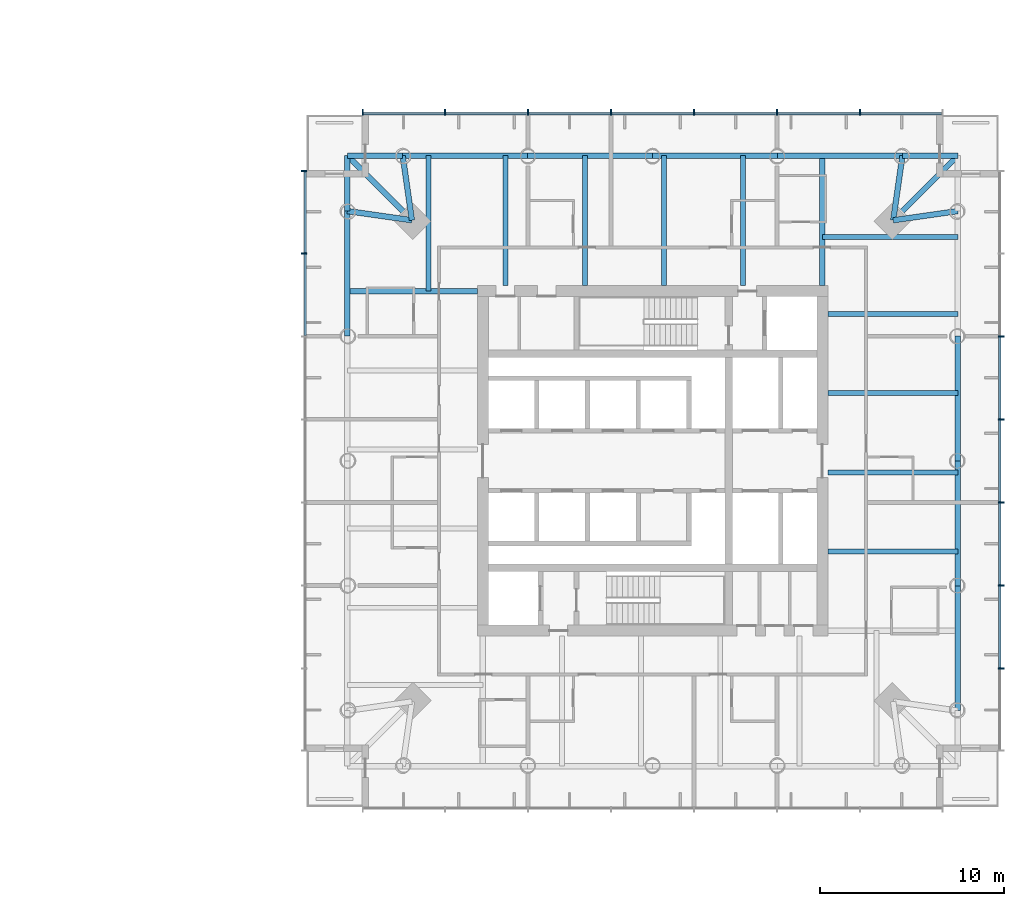
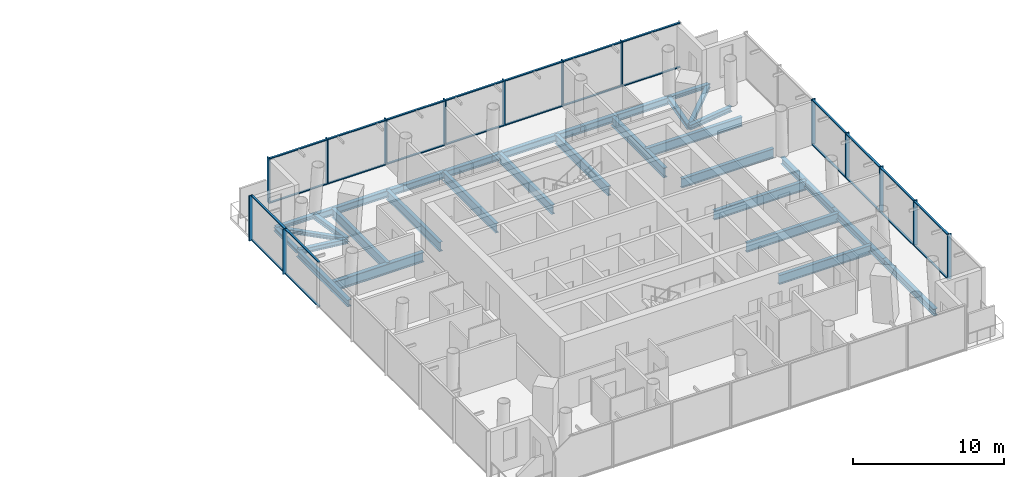
# One storey, part 7 of 24: 40 members, 29 beams, 3 elements without a shape of their own.
"""IFC4 building model written with IfcOpenShell, lengths in metres."""

from ifc_helpers import new_model, si_unit, direction, frame, origin, origin_2d, place, context, subcontext, project, spatial, rectangle, i_section, extrude, material, material_profile, profile_set, type_object, element, aggregate, save


model = new_model("IFC4")

# Units and contexts
model_context = context("Model", 3, precision=1e-05, world=origin(), true_north=direction((0.0, 1.0)))
body_context = subcontext(model_context, "Body", "Model", "MODEL_VIEW")
ifc_project = project(units=[si_unit("LENGTHUNIT", "METRE"), si_unit("AREAUNIT", "SQUARE_METRE"), si_unit("VOLUMEUNIT", "CUBIC_METRE"), si_unit("PLANEANGLEUNIT", "RADIAN"), si_unit("MASSUNIT", "GRAM", prefix="KILO")], contexts=[model_context])

# Site, building, storey
site_placement = place(None, origin())
site = spatial("IfcSite", under=ifc_project, at=site_placement, CompositionType="ELEMENT")
building_placement = place(site_placement, origin())
building = spatial("IfcBuilding", under=site, at=building_placement, Name="Ostroluk Exchange", CompositionType="ELEMENT")
storey_placement = place(building_placement, frame((0.0, 0.0, 78.0)))
storey = spatial("IfcBuildingStorey", under=building, at=storey_placement, Name="L19", CompositionType="ELEMENT", Elevation=78.0)

# Beams
ifc_material_1 = material(Name="Steel S355", Category="steel")
ifc_material_profile_1 = material_profile(ifc_material_1, i_section(OverallWidth=0.300048828125, OverallDepth=0.300048828125, WebThickness=0.010986328125, FlangeThickness=0.01904296875, FilletRadius=0.027099609375, at=origin_2d()), Name="HEB 300")
ifc_profile_set_1 = profile_set([ifc_material_profile_1], Name="Steel S355")
beam_type_1 = type_object("IfcBeamType", Name="Balcony beam HEB 300", PredefinedType="BEAM", material=ifc_profile_set_1)
beam_1_placement = place(storey_placement, frame((130.543212890625, 62.543212890625, -0.35009765625), z_axis=(1.0, 0.0, 0.0), x_axis=(0.0, 1.0, 0.0)))
element("IfcBeam", 1, at=beam_1_placement, inside=storey, type_object=beam_type_1, Name="T2 east balcony beam b", PredefinedType="BEAM", context=body_context, shape_type="SweptSolid", body=[
    extrude(i_section(OverallWidth=0.300048828125, OverallDepth=0.300048828125, WebThickness=0.010986328125, FlangeThickness=0.01904296875, FilletRadius=0.027099609375, at=origin_2d()), origin(), (0.0, 0.0, 1.0), 3.0),
])
beam_2_placement = place(storey_placement, frame((130.043212890625, 59.043212890625, -0.35009765625), z_axis=(0.707106781187, 0.707106781187, 0.0), x_axis=(-0.707106781187, 0.707106781187, 0.0)))
element("IfcBeam", 2, at=beam_2_placement, inside=storey, type_object=beam_type_1, Name="T2 east balcony beam c", PredefinedType="BEAM", context=body_context, shape_type="SweptSolid", body=[
    extrude(i_section(OverallWidth=0.300048828125, OverallDepth=0.300048828125, WebThickness=0.010986328125, FlangeThickness=0.01904296875, FilletRadius=0.027099609375, at=origin_2d()), origin(), (0.0, 0.0, 1.0), 4.94970703125),
])
for number, where, z_axis, x_axis, name in (
    (3, (103.456787109375, 62.543212890625, -0.35009765625), (-1.0, 0.0, 0.0), (0.0, -1.0, 0.0), "T2 north balcony beam a"),
    (4, (100.456787109375, 59.543212890625, -0.35009765625), (0.0, 1.0, 0.0), (-1.0, 0.0, 0.0), "T2 north balcony beam b"),
):
    element("IfcBeam", number, at=place(storey_placement, frame(where, z_axis=z_axis, x_axis=x_axis)), inside=storey, type_object=beam_type_1, Name=name, PredefinedType="BEAM", context=body_context, shape_type="SweptSolid", body=[
        extrude(i_section(OverallWidth=0.300048828125, OverallDepth=0.300048828125, WebThickness=0.010986328125, FlangeThickness=0.01904296875, FilletRadius=0.027099609375, at=origin_2d()), origin(), (0.0, 0.0, 1.0), 3.0),
    ])
beam_3_placement = place(storey_placement, frame((103.956787109375, 59.043212890625, -0.35009765625), z_axis=(-0.707106781187, 0.707106781187, 0.0), x_axis=(-0.707106781187, -0.707106781187, 0.0)))
element("IfcBeam", 5, at=beam_3_placement, inside=storey, type_object=beam_type_1, Name="T2 north balcony beam c", PredefinedType="BEAM", context=body_context, shape_type="SweptSolid", body=[
    extrude(i_section(OverallWidth=0.300048828125, OverallDepth=0.300048828125, WebThickness=0.010986328125, FlangeThickness=0.01904296875, FilletRadius=0.027099609375, at=origin_2d()), origin(), (0.0, 0.0, 1.0), 4.94970703125),
])
ifc_material_2 = material(Name="Steel S355", Category="steel")
ifc_material_profile_2 = material_profile(ifc_material_2, i_section(OverallWidth=0.300048828125, OverallDepth=0.39990234375, WebThickness=0.013427734375, FlangeThickness=0.02392578125, FilletRadius=0.027099609375, at=origin_2d()), Name="HEB 400")
ifc_profile_set_2 = profile_set([ifc_material_profile_2], Name="Steel S355")
beam_type_2 = type_object("IfcBeamType", Name="Corner edge beam HEB 400", PredefinedType="SPANDREL", material=ifc_profile_set_2)
for number, where, z_axis, x_axis, name in (
    (6, (130.043212890625, 59.043212890625, -0.39990234375), (0.989949493661, 0.141421356237, 0.0), (-0.141421356237, 0.989949493661, 0.0), "T2 east corner edge beam a"),
    (7, (130.043212890625, 59.043212890625, -0.39990234375), (0.141421356237, 0.989949493661, 0.0), (-0.989949493661, 0.141421356237, 0.0), "T2 east corner edge beam b"),
    (8, (103.956787109375, 59.043212890625, -0.39990234375), (-0.141421356237, 0.989949493661, 0.0), (-0.989949493661, -0.141421356237, 0.0), "T2 north corner edge beam a"),
    (9, (103.956787109375, 59.043212890625, -0.39990234375), (-0.989949493661, 0.141421356237, 0.0), (-0.141421356237, -0.989949493661, 0.0), "T2 north corner edge beam b"),
):
    element("IfcBeam", number, at=place(storey_placement, frame(where, z_axis=z_axis, x_axis=x_axis)), inside=storey, type_object=beam_type_2, Name=name, PredefinedType="SPANDREL", context=body_context, shape_type="SweptSolid", body=[
        extrude(i_section(OverallWidth=0.300048828125, OverallDepth=0.39990234375, WebThickness=0.013427734375, FlangeThickness=0.02392578125, FilletRadius=0.027099609375, at=origin_2d()), origin(), (0.0, 0.0, 1.0), 3.53564453125),
    ])
ifc_material_3 = material(Name="Steel S355", Category="steel")
ifc_material_profile_3 = material_profile(ifc_material_3, i_section(OverallWidth=0.264892578125, OverallDepth=0.7529296875, WebThickness=0.01318359375, FlangeThickness=0.01708984375, FilletRadius=0.01708984375, at=origin_2d()), Name="IPE 750x147")
ifc_profile_set_3 = profile_set([ifc_material_profile_3], Name="Steel S355")
beam_type_3 = type_object("IfcBeamType", Name="Floor beam IPE 750x147", PredefinedType="BEAM", material=ifc_profile_set_3)
for number, where, z_axis, x_axis, name in (
    (10, (126.5, 41.090576171875, -0.576416015625), (1.0, 0.0, 0.0), (0.0, 1.0, 0.0), "T2 east floor beam 1"),
    (11, (126.5, 45.381103515625, -0.576416015625), (1.0, 0.0, 0.0), (0.0, 1.0, 0.0), "T2 east floor beam 2"),
    (12, (126.5, 49.671630859375, -0.576416015625), (1.0, 0.0, 0.0), (0.0, 1.0, 0.0), "T2 east floor beam 3"),
    (13, (126.5, 53.962158203125, -0.576416015625), (1.0, 0.0, 0.0), (0.0, 1.0, 0.0), "T2 east floor beam 4"),
):
    element("IfcBeam", number, at=place(storey_placement, frame(where, z_axis=z_axis, x_axis=x_axis)), inside=storey, type_object=beam_type_3, Name=name, PredefinedType="BEAM", context=body_context, shape_type="SweptSolid", body=[
        extrude(i_section(OverallWidth=0.264892578125, OverallDepth=0.7529296875, WebThickness=0.01318359375, FlangeThickness=0.01708984375, FilletRadius=0.01708984375, at=origin_2d()), origin(), (0.0, 0.0, 1.0), 7.043212890625),
    ])
beam_4_placement = place(storey_placement, frame((126.199951171875, 58.14306640625, -0.576416015625), z_axis=(1.0, 0.0, 0.0), x_axis=(0.0, 1.0, 0.0)))
element("IfcBeam", 14, at=beam_4_placement, inside=storey, type_object=beam_type_3, Name="T2 east floor beam 5", PredefinedType="BEAM", context=body_context, shape_type="SweptSolid", body=[
    extrude(i_section(OverallWidth=0.264892578125, OverallDepth=0.7529296875, WebThickness=0.01318359375, FlangeThickness=0.01708984375, FilletRadius=0.01708984375, at=origin_2d()), origin(), (0.0, 0.0, 1.0), 7.34326171875),
])
for number, where, z_axis, x_axis, name in (
    (15, (121.909423828125, 55.5, -0.576416015625), (0.0, 1.0, 0.0), (-1.0, 0.0, 0.0), "T2 north floor beam 1"),
    (16, (117.618896484375, 55.5, -0.576416015625), (0.0, 1.0, 0.0), (-1.0, 0.0, 0.0), "T2 north floor beam 2"),
    (17, (113.328369140625, 55.5, -0.576416015625), (0.0, 1.0, 0.0), (-1.0, 0.0, 0.0), "T2 north floor beam 3"),
    (18, (109.037841796875, 55.5, -0.576416015625), (0.0, 1.0, 0.0), (-1.0, 0.0, 0.0), "T2 north floor beam 4"),
):
    element("IfcBeam", number, at=place(storey_placement, frame(where, z_axis=z_axis, x_axis=x_axis)), inside=storey, type_object=beam_type_3, Name=name, PredefinedType="BEAM", context=body_context, shape_type="SweptSolid", body=[
        extrude(i_section(OverallWidth=0.264892578125, OverallDepth=0.7529296875, WebThickness=0.01318359375, FlangeThickness=0.01708984375, FilletRadius=0.01708984375, at=origin_2d()), origin(), (0.0, 0.0, 1.0), 7.043212890625),
    ])
beam_5_placement = place(storey_placement, frame((104.85693359375, 55.199951171875, -0.576416015625), z_axis=(0.0, 1.0, 0.0), x_axis=(-1.0, 0.0, 0.0)))
element("IfcBeam", 19, at=beam_5_placement, inside=storey, type_object=beam_type_3, Name="T2 north floor beam 5", PredefinedType="BEAM", context=body_context, shape_type="SweptSolid", body=[
    extrude(i_section(OverallWidth=0.264892578125, OverallDepth=0.7529296875, WebThickness=0.01318359375, FlangeThickness=0.01708984375, FilletRadius=0.01708984375, at=origin_2d()), origin(), (0.0, 0.0, 1.0), 7.34326171875),
])
ifc_material_4 = material(Name="Steel S355", Category="steel")
ifc_material_profile_4 = material_profile(ifc_material_4, i_section(OverallWidth=0.300048828125, OverallDepth=0.800048828125, WebThickness=0.017578125, FlangeThickness=0.032958984375, FilletRadius=0.030029296875, at=origin_2d()), Name="HEB 800")
ifc_profile_set_4 = profile_set([ifc_material_profile_4], Name="Steel S355")
beam_type_4 = type_object("IfcBeamType", Name="Girder HEB 800", PredefinedType="BEAM", material=ifc_profile_set_4)
for number, where, z_axis, x_axis, name in (
    (20, (126.199951171875, 55.5, -0.60009765625), (0.0, 1.0, 0.0), (-1.0, 0.0, 0.0), "T2 east girder"),
    (21, (107.5, 55.199951171875, -0.60009765625), (-1.0, 0.0, 0.0), (0.0, -1.0, 0.0), "T2 north girder"),
):
    element("IfcBeam", number, at=place(storey_placement, frame(where, z_axis=z_axis, x_axis=x_axis)), inside=storey, type_object=beam_type_4, Name=name, PredefinedType="BEAM", context=body_context, shape_type="SweptSolid", body=[
        extrude(i_section(OverallWidth=0.300048828125, OverallDepth=0.800048828125, WebThickness=0.017578125, FlangeThickness=0.032958984375, FilletRadius=0.030029296875, at=origin_2d()), origin(), (0.0, 0.0, 1.0), 7.043212890625),
    ])
ifc_material_5 = material(Name="Steel S355", Category="steel")
ifc_material_profile_5 = material_profile(ifc_material_5, i_section(OverallWidth=0.300048828125, OverallDepth=0.550048828125, WebThickness=0.014892578125, FlangeThickness=0.029052734375, FilletRadius=0.027099609375, at=origin_2d()), Name="HEB 550")
ifc_profile_set_5 = profile_set([ifc_material_profile_5], Name="Steel S355")
beam_type_5 = type_object("IfcBeamType", Name="Moment-connected edge beam HEB 550", PredefinedType="SPANDREL", material=ifc_profile_set_5)
beam_6_placement = place(storey_placement, frame((133.543212890625, 32.456787109375, -0.47509765625), z_axis=(0.0, 1.0, 0.0), x_axis=(-1.0, 0.0, 0.0)))
element("IfcBeam", 22, at=beam_6_placement, inside=storey, type_object=beam_type_5, Name="T2 east edge beam 1", PredefinedType="SPANDREL", context=body_context, shape_type="SweptSolid", body=[
    extrude(i_section(OverallWidth=0.300048828125, OverallDepth=0.550048828125, WebThickness=0.014892578125, FlangeThickness=0.029052734375, FilletRadius=0.027099609375, at=origin_2d()), origin(), (0.0, 0.0, 1.0), 6.771728515625),
])
for number, where, z_axis, x_axis, name in (
    (23, (133.543212890625, 39.228515625, -0.47509765625), (0.0, 1.0, 0.0), (-1.0, 0.0, 0.0), "T2 east edge beam 2"),
    (24, (133.543212890625, 46.0, -0.47509765625), (0.0, 1.0, 0.0), (-1.0, 0.0, 0.0), "T2 east edge beam 3"),
):
    element("IfcBeam", number, at=place(storey_placement, frame(where, z_axis=z_axis, x_axis=x_axis)), inside=storey, type_object=beam_type_5, Name=name, PredefinedType="SPANDREL", context=body_context, shape_type="SweptSolid", body=[
        extrude(i_section(OverallWidth=0.300048828125, OverallDepth=0.550048828125, WebThickness=0.014892578125, FlangeThickness=0.029052734375, FilletRadius=0.027099609375, at=origin_2d()), origin(), (0.0, 0.0, 1.0), 6.771484375),
    ])
beam_7_placement = place(storey_placement, frame((130.543212890625, 62.543212890625, -0.47509765625), z_axis=(-1.0, 0.0, 0.0), x_axis=(0.0, -1.0, 0.0)))
element("IfcBeam", 25, at=beam_7_placement, inside=storey, type_object=beam_type_5, Name="T2 north edge beam 1", PredefinedType="SPANDREL", context=body_context, shape_type="SweptSolid", body=[
    extrude(i_section(OverallWidth=0.300048828125, OverallDepth=0.550048828125, WebThickness=0.014892578125, FlangeThickness=0.029052734375, FilletRadius=0.027099609375, at=origin_2d()), origin(), (0.0, 0.0, 1.0), 6.771728515625),
])
for number, where, z_axis, x_axis, name in (
    (26, (123.771484375, 62.543212890625, -0.47509765625), (-1.0, 0.0, 0.0), (0.0, -1.0, 0.0), "T2 north edge beam 2"),
    (27, (117.0, 62.543212890625, -0.47509765625), (-1.0, 0.0, 0.0), (0.0, -1.0, 0.0), "T2 north edge beam 3"),
):
    element("IfcBeam", number, at=place(storey_placement, frame(where, z_axis=z_axis, x_axis=x_axis)), inside=storey, type_object=beam_type_5, Name=name, PredefinedType="SPANDREL", context=body_context, shape_type="SweptSolid", body=[
        extrude(i_section(OverallWidth=0.300048828125, OverallDepth=0.550048828125, WebThickness=0.014892578125, FlangeThickness=0.029052734375, FilletRadius=0.027099609375, at=origin_2d()), origin(), (0.0, 0.0, 1.0), 6.771484375),
    ])
for number, where, z_axis, x_axis, name in (
    (28, (110.228515625, 62.543212890625, -0.47509765625), (-1.0, 0.0, 0.0), (0.0, -1.0, 0.0), "T2 north edge beam 4"),
    (29, (100.456787109375, 59.543212890625, -0.47509765625), (0.0, -1.0, 0.0), (1.0, 0.0, 0.0), "T2 west edge beam 1"),
):
    element("IfcBeam", number, at=place(storey_placement, frame(where, z_axis=z_axis, x_axis=x_axis)), inside=storey, type_object=beam_type_5, Name=name, PredefinedType="SPANDREL", context=body_context, shape_type="SweptSolid", body=[
        extrude(i_section(OverallWidth=0.300048828125, OverallDepth=0.550048828125, WebThickness=0.014892578125, FlangeThickness=0.029052734375, FilletRadius=0.027099609375, at=origin_2d()), origin(), (0.0, 0.0, 1.0), 6.771728515625),
    ])

# Curtain wall, members
ifc_material_6 = material(Name="Laminated clear glass", Category="glass")
curtain_wall_type = type_object("IfcCurtainWallType", Name="Hotel guest floor facade", PredefinedType="USERDEFINED", material=ifc_material_6)
curtain_wall_1_placement = place(storey_placement, origin())
curtain_wall_1 = element("IfcCurtainWall", 30, at=curtain_wall_1_placement, inside=storey, type_object=curtain_wall_type, Name="Hotel tower east facade L19", ObjectType="UNITISED CURTAIN WALL", PredefinedType="USERDEFINED")
ifc_material_7 = material(Name="Aluminium mullion", Category="aluminium")
ifc_material_profile_6 = material_profile(ifc_material_7, rectangle(XDim=0.14990234375, YDim=0.080078125, at=origin_2d()), Name="Sill transom 80 x 150")
ifc_profile_set_6 = profile_set([ifc_material_profile_6], Name="Aluminium mullion")
member_type_1 = type_object("IfcMemberType", Name="Sill transom 80 x 150", PredefinedType="USERDEFINED", material=ifc_profile_set_6)
member_1_placement = place(storey_placement, frame((135.824951171875, 34.7900390625, 0.0400390625), z_axis=(0.0, 1.0, 0.0), x_axis=(-1.0, 0.0, 0.0)))
member_1 = element("IfcMember", 31, at=member_1_placement, type_object=member_type_1, Name="CW-H1 transom 2.1", ObjectType="TRANSOM", PredefinedType="USERDEFINED", context=body_context, shape_type="SweptSolid", body=[
    extrude(rectangle(XDim=0.14990234375, YDim=0.080078125, at=origin_2d()), origin(), (0.0, 0.0, 1.0), 4.419921875),
])
member_2_placement = place(storey_placement, frame((135.824951171875, 34.7900390625, 3.610107421875), z_axis=(0.0, 1.0, 0.0), x_axis=(-1.0, 0.0, 0.0)))
member_2 = element("IfcMember", 32, at=member_2_placement, type_object=member_type_1, Name="CW-H1 transom 2.2", ObjectType="TRANSOM", PredefinedType="USERDEFINED", context=body_context, shape_type="SweptSolid", body=[
    extrude(rectangle(XDim=0.14990234375, YDim=0.080078125, at=origin_2d()), origin(), (0.0, 0.0, 1.0), 4.419921875),
])
member_3_placement = place(storey_placement, frame((135.824951171875, 39.2900390625, 0.0400390625), z_axis=(0.0, 1.0, 0.0), x_axis=(-1.0, 0.0, 0.0)))
member_3 = element("IfcMember", 33, at=member_3_placement, type_object=member_type_1, Name="CW-H1 transom 3.1", ObjectType="TRANSOM", PredefinedType="USERDEFINED", context=body_context, shape_type="SweptSolid", body=[
    extrude(rectangle(XDim=0.14990234375, YDim=0.080078125, at=origin_2d()), origin(), (0.0, 0.0, 1.0), 4.419921875),
])
member_4_placement = place(storey_placement, frame((135.824951171875, 39.2900390625, 3.610107421875), z_axis=(0.0, 1.0, 0.0), x_axis=(-1.0, 0.0, 0.0)))
member_4 = element("IfcMember", 34, at=member_4_placement, type_object=member_type_1, Name="CW-H1 transom 3.2", ObjectType="TRANSOM", PredefinedType="USERDEFINED", context=body_context, shape_type="SweptSolid", body=[
    extrude(rectangle(XDim=0.14990234375, YDim=0.080078125, at=origin_2d()), origin(), (0.0, 0.0, 1.0), 4.419921875),
])
member_5_placement = place(storey_placement, frame((135.824951171875, 43.7900390625, 0.0400390625), z_axis=(0.0, 1.0, 0.0), x_axis=(-1.0, 0.0, 0.0)))
member_5 = element("IfcMember", 35, at=member_5_placement, type_object=member_type_1, Name="CW-H1 transom 4.1", ObjectType="TRANSOM", PredefinedType="USERDEFINED", context=body_context, shape_type="SweptSolid", body=[
    extrude(rectangle(XDim=0.14990234375, YDim=0.080078125, at=origin_2d()), origin(), (0.0, 0.0, 1.0), 4.419921875),
])
member_6_placement = place(storey_placement, frame((135.824951171875, 43.7900390625, 3.610107421875), z_axis=(0.0, 1.0, 0.0), x_axis=(-1.0, 0.0, 0.0)))
member_6 = element("IfcMember", 36, at=member_6_placement, type_object=member_type_1, Name="CW-H1 transom 4.2", ObjectType="TRANSOM", PredefinedType="USERDEFINED", context=body_context, shape_type="SweptSolid", body=[
    extrude(rectangle(XDim=0.14990234375, YDim=0.080078125, at=origin_2d()), origin(), (0.0, 0.0, 1.0), 4.419921875),
])
member_7_placement = place(storey_placement, frame((135.824951171875, 48.2900390625, 0.0400390625), z_axis=(0.0, 1.0, 0.0), x_axis=(-1.0, 0.0, 0.0)))
member_7 = element("IfcMember", 37, at=member_7_placement, type_object=member_type_1, Name="CW-H1 transom 5.1", ObjectType="TRANSOM", PredefinedType="USERDEFINED", context=body_context, shape_type="SweptSolid", body=[
    extrude(rectangle(XDim=0.14990234375, YDim=0.080078125, at=origin_2d()), origin(), (0.0, 0.0, 1.0), 4.419921875),
])
member_8_placement = place(storey_placement, frame((135.824951171875, 48.2900390625, 3.610107421875), z_axis=(0.0, 1.0, 0.0), x_axis=(-1.0, 0.0, 0.0)))
member_8 = element("IfcMember", 38, at=member_8_placement, type_object=member_type_1, Name="CW-H1 transom 5.2", ObjectType="TRANSOM", PredefinedType="USERDEFINED", context=body_context, shape_type="SweptSolid", body=[
    extrude(rectangle(XDim=0.14990234375, YDim=0.080078125, at=origin_2d()), origin(), (0.0, 0.0, 1.0), 4.419921875),
])

curtain_wall_2_placement = place(storey_placement, origin())
curtain_wall_2 = element("IfcCurtainWall", 39, at=curtain_wall_2_placement, inside=storey, type_object=curtain_wall_type, Name="Hotel tower north facade L19", ObjectType="UNITISED CURTAIN WALL", PredefinedType="USERDEFINED")
member_9_placement = place(storey_placement, frame((132.669921875, 64.824951171875, 0.0400390625), z_axis=(-1.0, 0.0, 0.0), x_axis=(0.0, -1.0, 0.0)))
member_9 = element("IfcMember", 40, at=member_9_placement, type_object=member_type_1, Name="CW-H1 transom 1.1", ObjectType="TRANSOM", PredefinedType="USERDEFINED", context=body_context, shape_type="SweptSolid", body=[
    extrude(rectangle(XDim=0.14990234375, YDim=0.080078125, at=origin_2d()), origin(), (0.0, 0.0, 1.0), 4.3798828125),
])
member_10_placement = place(storey_placement, frame((132.669921875, 64.824951171875, 3.610107421875), z_axis=(-1.0, 0.0, 0.0), x_axis=(0.0, -1.0, 0.0)))
member_10 = element("IfcMember", 41, at=member_10_placement, type_object=member_type_1, Name="CW-H1 transom 1.2", ObjectType="TRANSOM", PredefinedType="USERDEFINED", context=body_context, shape_type="SweptSolid", body=[
    extrude(rectangle(XDim=0.14990234375, YDim=0.080078125, at=origin_2d()), origin(), (0.0, 0.0, 1.0), 4.3798828125),
])
member_11_placement = place(storey_placement, frame((128.2099609375, 64.824951171875, 0.0400390625), z_axis=(-1.0, 0.0, 0.0), x_axis=(0.0, -1.0, 0.0)))
member_11 = element("IfcMember", 42, at=member_11_placement, type_object=member_type_1, Name="CW-H1 transom 2.1", ObjectType="TRANSOM", PredefinedType="USERDEFINED", context=body_context, shape_type="SweptSolid", body=[
    extrude(rectangle(XDim=0.14990234375, YDim=0.080078125, at=origin_2d()), origin(), (0.0, 0.0, 1.0), 4.419921875),
])
member_12_placement = place(storey_placement, frame((128.2099609375, 64.824951171875, 3.610107421875), z_axis=(-1.0, 0.0, 0.0), x_axis=(0.0, -1.0, 0.0)))
member_12 = element("IfcMember", 43, at=member_12_placement, type_object=member_type_1, Name="CW-H1 transom 2.2", ObjectType="TRANSOM", PredefinedType="USERDEFINED", context=body_context, shape_type="SweptSolid", body=[
    extrude(rectangle(XDim=0.14990234375, YDim=0.080078125, at=origin_2d()), origin(), (0.0, 0.0, 1.0), 4.419921875),
])
member_13_placement = place(storey_placement, frame((123.7099609375, 64.824951171875, 0.0400390625), z_axis=(-1.0, 0.0, 0.0), x_axis=(0.0, -1.0, 0.0)))
member_13 = element("IfcMember", 44, at=member_13_placement, type_object=member_type_1, Name="CW-H1 transom 3.1", ObjectType="TRANSOM", PredefinedType="USERDEFINED", context=body_context, shape_type="SweptSolid", body=[
    extrude(rectangle(XDim=0.14990234375, YDim=0.080078125, at=origin_2d()), origin(), (0.0, 0.0, 1.0), 4.419921875),
])
member_14_placement = place(storey_placement, frame((123.7099609375, 64.824951171875, 3.610107421875), z_axis=(-1.0, 0.0, 0.0), x_axis=(0.0, -1.0, 0.0)))
member_14 = element("IfcMember", 45, at=member_14_placement, type_object=member_type_1, Name="CW-H1 transom 3.2", ObjectType="TRANSOM", PredefinedType="USERDEFINED", context=body_context, shape_type="SweptSolid", body=[
    extrude(rectangle(XDim=0.14990234375, YDim=0.080078125, at=origin_2d()), origin(), (0.0, 0.0, 1.0), 4.419921875),
])
member_15_placement = place(storey_placement, frame((119.2099609375, 64.824951171875, 0.0400390625), z_axis=(-1.0, 0.0, 0.0), x_axis=(0.0, -1.0, 0.0)))
member_15 = element("IfcMember", 46, at=member_15_placement, type_object=member_type_1, Name="CW-H1 transom 4.1", ObjectType="TRANSOM", PredefinedType="USERDEFINED", context=body_context, shape_type="SweptSolid", body=[
    extrude(rectangle(XDim=0.14990234375, YDim=0.080078125, at=origin_2d()), origin(), (0.0, 0.0, 1.0), 4.419921875),
])
member_16_placement = place(storey_placement, frame((119.2099609375, 64.824951171875, 3.610107421875), z_axis=(-1.0, 0.0, 0.0), x_axis=(0.0, -1.0, 0.0)))
member_16 = element("IfcMember", 47, at=member_16_placement, type_object=member_type_1, Name="CW-H1 transom 4.2", ObjectType="TRANSOM", PredefinedType="USERDEFINED", context=body_context, shape_type="SweptSolid", body=[
    extrude(rectangle(XDim=0.14990234375, YDim=0.080078125, at=origin_2d()), origin(), (0.0, 0.0, 1.0), 4.419921875),
])
member_17_placement = place(storey_placement, frame((114.7099609375, 64.824951171875, 0.0400390625), z_axis=(-1.0, 0.0, 0.0), x_axis=(0.0, -1.0, 0.0)))
member_17 = element("IfcMember", 48, at=member_17_placement, type_object=member_type_1, Name="CW-H1 transom 5.1", ObjectType="TRANSOM", PredefinedType="USERDEFINED", context=body_context, shape_type="SweptSolid", body=[
    extrude(rectangle(XDim=0.14990234375, YDim=0.080078125, at=origin_2d()), origin(), (0.0, 0.0, 1.0), 4.419921875),
])
member_18_placement = place(storey_placement, frame((114.7099609375, 64.824951171875, 3.610107421875), z_axis=(-1.0, 0.0, 0.0), x_axis=(0.0, -1.0, 0.0)))
member_18 = element("IfcMember", 49, at=member_18_placement, type_object=member_type_1, Name="CW-H1 transom 5.2", ObjectType="TRANSOM", PredefinedType="USERDEFINED", context=body_context, shape_type="SweptSolid", body=[
    extrude(rectangle(XDim=0.14990234375, YDim=0.080078125, at=origin_2d()), origin(), (0.0, 0.0, 1.0), 4.419921875),
])
member_19_placement = place(storey_placement, frame((110.2099609375, 64.824951171875, 0.0400390625), z_axis=(-1.0, 0.0, 0.0), x_axis=(0.0, -1.0, 0.0)))
member_19 = element("IfcMember", 50, at=member_19_placement, type_object=member_type_1, Name="CW-H1 transom 6.1", ObjectType="TRANSOM", PredefinedType="USERDEFINED", context=body_context, shape_type="SweptSolid", body=[
    extrude(rectangle(XDim=0.14990234375, YDim=0.080078125, at=origin_2d()), origin(), (0.0, 0.0, 1.0), 4.419921875),
])
member_20_placement = place(storey_placement, frame((110.2099609375, 64.824951171875, 3.610107421875), z_axis=(-1.0, 0.0, 0.0), x_axis=(0.0, -1.0, 0.0)))
member_20 = element("IfcMember", 51, at=member_20_placement, type_object=member_type_1, Name="CW-H1 transom 6.2", ObjectType="TRANSOM", PredefinedType="USERDEFINED", context=body_context, shape_type="SweptSolid", body=[
    extrude(rectangle(XDim=0.14990234375, YDim=0.080078125, at=origin_2d()), origin(), (0.0, 0.0, 1.0), 4.419921875),
])
member_21_placement = place(storey_placement, frame((105.7099609375, 64.824951171875, 0.0400390625), z_axis=(-1.0, 0.0, 0.0), x_axis=(0.0, -1.0, 0.0)))
member_21 = element("IfcMember", 52, at=member_21_placement, type_object=member_type_1, Name="CW-H1 transom 7.1", ObjectType="TRANSOM", PredefinedType="USERDEFINED", context=body_context, shape_type="SweptSolid", body=[
    extrude(rectangle(XDim=0.14990234375, YDim=0.080078125, at=origin_2d()), origin(), (0.0, 0.0, 1.0), 4.3798828125),
])
member_22_placement = place(storey_placement, frame((105.7099609375, 64.824951171875, 3.610107421875), z_axis=(-1.0, 0.0, 0.0), x_axis=(0.0, -1.0, 0.0)))
member_22 = element("IfcMember", 53, at=member_22_placement, type_object=member_type_1, Name="CW-H1 transom 7.2", ObjectType="TRANSOM", PredefinedType="USERDEFINED", context=body_context, shape_type="SweptSolid", body=[
    extrude(rectangle(XDim=0.14990234375, YDim=0.080078125, at=origin_2d()), origin(), (0.0, 0.0, 1.0), 4.3798828125),
])

curtain_wall_3_placement = place(storey_placement, origin())
curtain_wall_3 = element("IfcCurtainWall", 54, at=curtain_wall_3_placement, inside=storey, type_object=curtain_wall_type, Name="Hotel tower west facade L19", ObjectType="UNITISED CURTAIN WALL", PredefinedType="USERDEFINED")
member_23_placement = place(storey_placement, frame((98.175048828125, 61.669921875, 0.0400390625), z_axis=(0.0, -1.0, 0.0), x_axis=(1.0, 0.0, 0.0)))
member_23 = element("IfcMember", 55, at=member_23_placement, type_object=member_type_1, Name="CW-H1 transom 1.1", ObjectType="TRANSOM", PredefinedType="USERDEFINED", context=body_context, shape_type="SweptSolid", body=[
    extrude(rectangle(XDim=0.14990234375, YDim=0.080078125, at=origin_2d()), origin(), (0.0, 0.0, 1.0), 4.3798828125),
])
member_24_placement = place(storey_placement, frame((98.175048828125, 61.669921875, 3.610107421875), z_axis=(0.0, -1.0, 0.0), x_axis=(1.0, 0.0, 0.0)))
member_24 = element("IfcMember", 56, at=member_24_placement, type_object=member_type_1, Name="CW-H1 transom 1.2", ObjectType="TRANSOM", PredefinedType="USERDEFINED", context=body_context, shape_type="SweptSolid", body=[
    extrude(rectangle(XDim=0.14990234375, YDim=0.080078125, at=origin_2d()), origin(), (0.0, 0.0, 1.0), 4.3798828125),
])
member_25_placement = place(storey_placement, frame((98.175048828125, 57.2099609375, 0.0400390625), z_axis=(0.0, -1.0, 0.0), x_axis=(1.0, 0.0, 0.0)))
member_25 = element("IfcMember", 57, at=member_25_placement, type_object=member_type_1, Name="CW-H1 transom 2.1", ObjectType="TRANSOM", PredefinedType="USERDEFINED", context=body_context, shape_type="SweptSolid", body=[
    extrude(rectangle(XDim=0.14990234375, YDim=0.080078125, at=origin_2d()), origin(), (0.0, 0.0, 1.0), 4.419921875),
])
member_26_placement = place(storey_placement, frame((98.175048828125, 57.2099609375, 3.610107421875), z_axis=(0.0, -1.0, 0.0), x_axis=(1.0, 0.0, 0.0)))
member_26 = element("IfcMember", 58, at=member_26_placement, type_object=member_type_1, Name="CW-H1 transom 2.2", ObjectType="TRANSOM", PredefinedType="USERDEFINED", context=body_context, shape_type="SweptSolid", body=[
    extrude(rectangle(XDim=0.14990234375, YDim=0.080078125, at=origin_2d()), origin(), (0.0, 0.0, 1.0), 4.419921875),
])

# Member
ifc_material_8 = material(Name="Aluminium mullion with limestone facing", Category="masonry")
ifc_material_profile_7 = material_profile(ifc_material_8, rectangle(XDim=0.300048828125, YDim=0.080078125, at=origin_2d()), Name="Tracery mullion 80 x 300")
ifc_profile_set_7 = profile_set([ifc_material_profile_7], Name="Aluminium mullion with limestone facing")
member_type_2 = type_object("IfcMemberType", Name="Tracery mullion 80 x 300", PredefinedType="MULLION", material=ifc_profile_set_7)
member_27_placement = place(storey_placement, frame((135.89990234375, 34.75, 0.0), z_axis=(0.0, 0.0, 1.0), x_axis=(-1.0, 0.0, 0.0)))
member_27 = element("IfcMember", 59, at=member_27_placement, type_object=member_type_2, Name="CW-H1 mullion 2", PredefinedType="MULLION", context=body_context, shape_type="SweptSolid", body=[
    extrude(rectangle(XDim=0.300048828125, YDim=0.080078125, at=origin_2d()), origin(), (0.0, 0.0, 1.0), 3.64990234375),
])

member_28_placement = place(storey_placement, frame((135.89990234375, 39.25, 0.0), z_axis=(0.0, 0.0, 1.0), x_axis=(-1.0, 0.0, 0.0)))
member_28 = element("IfcMember", 60, at=member_28_placement, type_object=member_type_2, Name="CW-H1 mullion 3", PredefinedType="MULLION", context=body_context, shape_type="SweptSolid", body=[
    extrude(rectangle(XDim=0.300048828125, YDim=0.080078125, at=origin_2d()), origin(), (0.0, 0.0, 1.0), 3.64990234375),
])

member_29_placement = place(storey_placement, frame((135.89990234375, 43.75, 0.0), z_axis=(0.0, 0.0, 1.0), x_axis=(-1.0, 0.0, 0.0)))
member_29 = element("IfcMember", 61, at=member_29_placement, type_object=member_type_2, Name="CW-H1 mullion 4", PredefinedType="MULLION", context=body_context, shape_type="SweptSolid", body=[
    extrude(rectangle(XDim=0.300048828125, YDim=0.080078125, at=origin_2d()), origin(), (0.0, 0.0, 1.0), 3.64990234375),
])

member_30_placement = place(storey_placement, frame((135.89990234375, 48.25, 0.0), z_axis=(0.0, 0.0, 1.0), x_axis=(-1.0, 0.0, 0.0)))
member_30 = element("IfcMember", 62, at=member_30_placement, type_object=member_type_2, Name="CW-H1 mullion 5", PredefinedType="MULLION", context=body_context, shape_type="SweptSolid", body=[
    extrude(rectangle(XDim=0.300048828125, YDim=0.080078125, at=origin_2d()), origin(), (0.0, 0.0, 1.0), 3.64990234375),
])

member_31_placement = place(storey_placement, frame((135.89990234375, 52.75, 0.0), z_axis=(0.0, 0.0, 1.0), x_axis=(-1.0, 0.0, 0.0)))
member_31 = element("IfcMember", 63, at=member_31_placement, type_object=member_type_2, Name="CW-H1 mullion 6", PredefinedType="MULLION", context=body_context, shape_type="SweptSolid", body=[
    extrude(rectangle(XDim=0.300048828125, YDim=0.080078125, at=origin_2d()), origin(), (0.0, 0.0, 1.0), 3.64990234375),
])

aggregate(curtain_wall_1, [member_27, member_28, member_29, member_30, member_31, member_1, member_2, member_3, member_4, member_5, member_6, member_7, member_8])

member_32_placement = place(storey_placement, frame((128.25, 64.89990234375, 0.0), z_axis=(0.0, 0.0, 1.0), x_axis=(0.0, -1.0, 0.0)))
member_32 = element("IfcMember", 64, at=member_32_placement, type_object=member_type_2, Name="CW-H1 mullion 2", PredefinedType="MULLION", context=body_context, shape_type="SweptSolid", body=[
    extrude(rectangle(XDim=0.300048828125, YDim=0.080078125, at=origin_2d()), origin(), (0.0, 0.0, 1.0), 3.64990234375),
])

member_33_placement = place(storey_placement, frame((123.75, 64.89990234375, 0.0), z_axis=(0.0, 0.0, 1.0), x_axis=(0.0, -1.0, 0.0)))
member_33 = element("IfcMember", 65, at=member_33_placement, type_object=member_type_2, Name="CW-H1 mullion 3", PredefinedType="MULLION", context=body_context, shape_type="SweptSolid", body=[
    extrude(rectangle(XDim=0.300048828125, YDim=0.080078125, at=origin_2d()), origin(), (0.0, 0.0, 1.0), 3.64990234375),
])

member_34_placement = place(storey_placement, frame((119.25, 64.89990234375, 0.0), z_axis=(0.0, 0.0, 1.0), x_axis=(0.0, -1.0, 0.0)))
member_34 = element("IfcMember", 66, at=member_34_placement, type_object=member_type_2, Name="CW-H1 mullion 4", PredefinedType="MULLION", context=body_context, shape_type="SweptSolid", body=[
    extrude(rectangle(XDim=0.300048828125, YDim=0.080078125, at=origin_2d()), origin(), (0.0, 0.0, 1.0), 3.64990234375),
])

member_35_placement = place(storey_placement, frame((114.75, 64.89990234375, 0.0), z_axis=(0.0, 0.0, 1.0), x_axis=(0.0, -1.0, 0.0)))
member_35 = element("IfcMember", 67, at=member_35_placement, type_object=member_type_2, Name="CW-H1 mullion 5", PredefinedType="MULLION", context=body_context, shape_type="SweptSolid", body=[
    extrude(rectangle(XDim=0.300048828125, YDim=0.080078125, at=origin_2d()), origin(), (0.0, 0.0, 1.0), 3.64990234375),
])

member_36_placement = place(storey_placement, frame((110.25, 64.89990234375, 0.0), z_axis=(0.0, 0.0, 1.0), x_axis=(0.0, -1.0, 0.0)))
member_36 = element("IfcMember", 68, at=member_36_placement, type_object=member_type_2, Name="CW-H1 mullion 6", PredefinedType="MULLION", context=body_context, shape_type="SweptSolid", body=[
    extrude(rectangle(XDim=0.300048828125, YDim=0.080078125, at=origin_2d()), origin(), (0.0, 0.0, 1.0), 3.64990234375),
])

member_37_placement = place(storey_placement, frame((105.75, 64.89990234375, 0.0), z_axis=(0.0, 0.0, 1.0), x_axis=(0.0, -1.0, 0.0)))
member_37 = element("IfcMember", 69, at=member_37_placement, type_object=member_type_2, Name="CW-H1 mullion 7", PredefinedType="MULLION", context=body_context, shape_type="SweptSolid", body=[
    extrude(rectangle(XDim=0.300048828125, YDim=0.080078125, at=origin_2d()), origin(), (0.0, 0.0, 1.0), 3.64990234375),
])

member_38_placement = place(storey_placement, frame((101.2900390625, 64.89990234375, 0.0), z_axis=(0.0, 0.0, 1.0), x_axis=(0.0, -1.0, 0.0)))
member_38 = element("IfcMember", 70, at=member_38_placement, type_object=member_type_2, Name="CW-H1 mullion 8", PredefinedType="MULLION", context=body_context, shape_type="SweptSolid", body=[
    extrude(rectangle(XDim=0.300048828125, YDim=0.080078125, at=origin_2d()), origin(), (0.0, 0.0, 1.0), 3.64990234375),
])

aggregate(curtain_wall_2, [member_32, member_33, member_34, member_35, member_36, member_37, member_38, member_9, member_10, member_11, member_12, member_13, member_14, member_15, member_16, member_17, member_18, member_19, member_20, member_21, member_22])

member_39_placement = place(storey_placement, frame((98.10009765625, 61.7099609375, 0.0), z_axis=(0.0, 0.0, 1.0), x_axis=(1.0, 0.0, 0.0)))
member_39 = element("IfcMember", 71, at=member_39_placement, type_object=member_type_2, Name="CW-H1 mullion 1", PredefinedType="MULLION", context=body_context, shape_type="SweptSolid", body=[
    extrude(rectangle(XDim=0.300048828125, YDim=0.080078125, at=origin_2d()), origin(), (0.0, 0.0, 1.0), 3.64990234375),
])

member_40_placement = place(storey_placement, frame((98.10009765625, 57.25, 0.0), z_axis=(0.0, 0.0, 1.0), x_axis=(1.0, 0.0, 0.0)))
member_40 = element("IfcMember", 72, at=member_40_placement, type_object=member_type_2, Name="CW-H1 mullion 2", PredefinedType="MULLION", context=body_context, shape_type="SweptSolid", body=[
    extrude(rectangle(XDim=0.300048828125, YDim=0.080078125, at=origin_2d()), origin(), (0.0, 0.0, 1.0), 3.64990234375),
])

aggregate(curtain_wall_3, [member_39, member_40, member_23, member_24, member_25, member_26])

save(model, "model.ifc")
